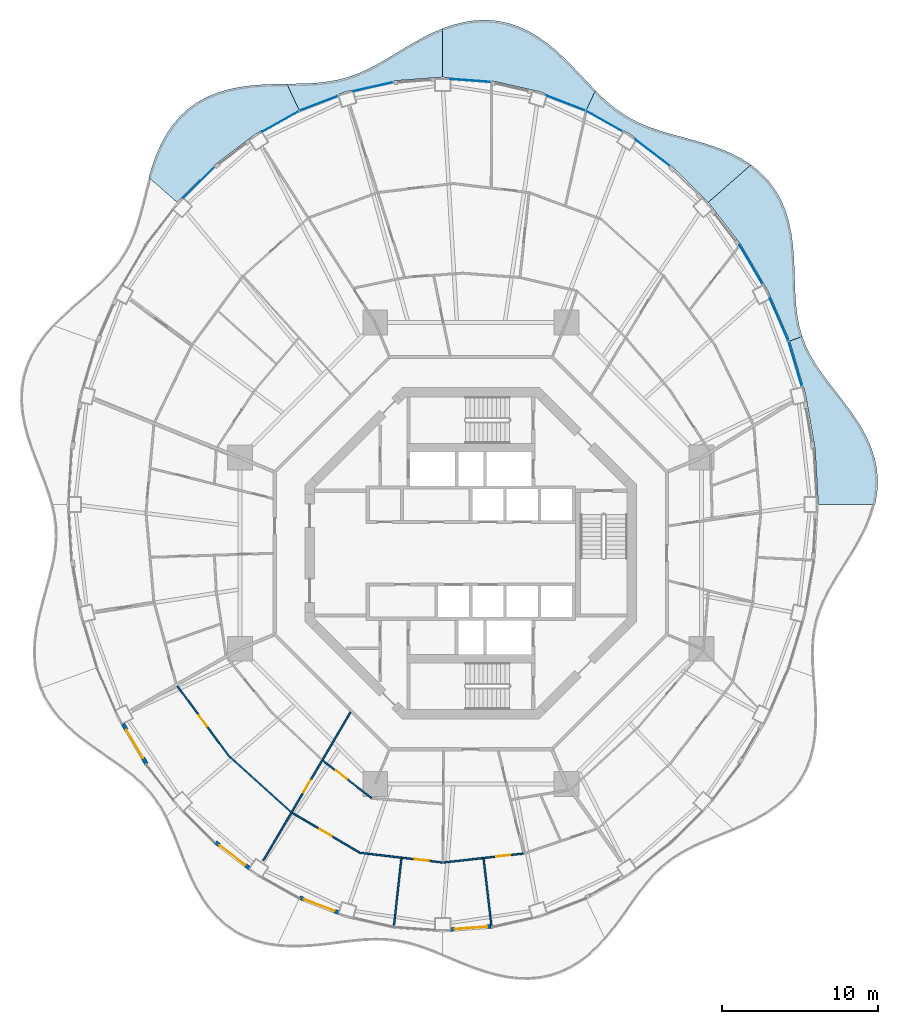
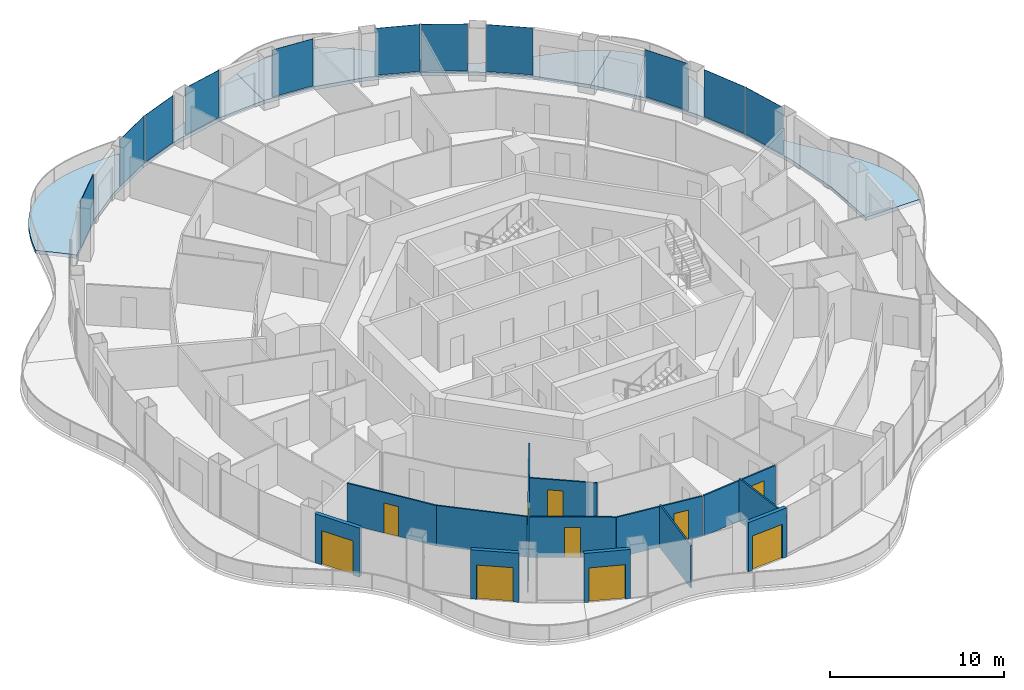
# One storey, part 9 of 18: 13 walls, 11 plates, 10 doors, 6 slabs, 10 openings, 11 elements without a shape of their own.
"""IFC4 building model written with IfcOpenShell, lengths in metres."""

from ifc_helpers import new_model, si_unit, direction, frame, frame_2d, origin, origin_2d, place, context, subcontext, project, spatial, polyline, rectangle, outline, extrude, material, layer, layer_set, type_object, element, fill, aggregate, save


model = new_model("IFC4")

# Units and contexts
model_context = context("Model", 3, precision=1e-05, world=origin(), true_north=direction((0.0, 1.0)))
body_context = subcontext(model_context, "Body", "Model", "MODEL_VIEW")
ifc_project = project(units=[si_unit("LENGTHUNIT", "METRE"), si_unit("AREAUNIT", "SQUARE_METRE"), si_unit("VOLUMEUNIT", "CUBIC_METRE"), si_unit("PLANEANGLEUNIT", "RADIAN"), si_unit("MASSUNIT", "GRAM", prefix="KILO")], contexts=[model_context])

# Site, building, storey
site_placement = place(None, origin())
site = spatial("IfcSite", under=ifc_project, at=site_placement, CompositionType="ELEMENT")
building_placement = place(site_placement, origin())
building = spatial("IfcBuilding", under=site, at=building_placement, Name="Nagisa Residences", CompositionType="ELEMENT")
storey_placement = place(building_placement, frame((0.0, 0.0, 215.89990234375)))
storey = spatial("IfcBuildingStorey", under=building, at=storey_placement, Name="L54", CompositionType="ELEMENT", Elevation=215.89990234375)

# Slabs
ifc_material_1 = material(Name="Concrete C40/50", Category="concrete")
ifc_layer_1 = layer(ifc_material_1, 0.25)
ifc_layer_set_1 = layer_set([ifc_layer_1], Name="BALCONY SLAB 250")
slab_type = type_object("IfcSlabType", Name="BALCONY SLAB 250", PredefinedType="FLOOR", material=ifc_layer_set_1)
slab_1_placement = place(storey_placement, frame((0.0, 0.0, -0.25)))
element("IfcSlab", 1, at=slab_1_placement, inside=storey, type_object=slab_type, Name="slab:L54:bal00", PredefinedType="FLOOR", context=body_context, shape_type="SweptSolid", body=[
    extrude(outline(polyline([(25.90576171875, 3.11767578125), (26.04150390625, 3.8671875), (26.083740234375, 4.619140625), (26.028564453125, 5.367919921875), (25.877197265625, 6.1083984375), (25.63525390625, 6.83544921875), (25.312744140625, 7.545166015625), (24.923095703125, 8.23486328125), (24.482666015625, 8.903564453125), (24.010009765625, 9.552001953125), (23.52392578125, 10.182373046875), (23.04345703125, 10.79931640625), (22.5859375, 11.40771484375), (22.166748046875, 12.01416015625), (21.7978515625, 12.625732421875), (21.487060546875, 13.249267578125), (21.238525390625, 13.890869140625), (20.437744140625, 13.599365234375), (21.449951171875, 10.206787109375), (22.06396484375, 6.69287109375), (22.27001953125, 3.11767578125), (25.90576171875, 3.11767578125)])), origin(), (0.0, 0.0, 1.0), 0.25),
])
slab_2_placement = place(storey_placement, frame((0.0, 0.0, -0.25)))
element("IfcSlab", 2, at=slab_2_placement, inside=storey, type_object=slab_type, Name="slab:L54:bal01", PredefinedType="FLOOR", context=body_context, shape_type="SweptSolid", body=[
    extrude(outline(polyline([(21.238525390625, 13.890869140625), (21.056396484375, 14.53515625), (20.927490234375, 15.20458984375), (20.84375, 15.900634765625), (20.794189453125, 16.623046875), (20.76513671875, 17.369140625), (20.74169921875, 18.1337890625), (20.707275390625, 18.91064453125), (20.646728515625, 19.69091796875), (20.544921875, 20.465087890625), (20.388916015625, 21.222412109375), (20.168212890625, 21.95263671875), (19.875244140625, 22.6455078125), (19.50634765625, 23.291748046875), (19.060791015625, 23.884033203125), (18.54150390625, 24.417236328125), (17.955078125, 24.888916015625), (15.219970703125, 22.4853515625), (17.2958984375, 19.791748046875), (19.045166015625, 16.812744140625), (20.437744140625, 13.599365234375), (21.238525390625, 13.890869140625)])), origin(), (0.0, 0.0, 1.0), 0.25),
])
slab_3_placement = place(storey_placement, frame((0.0, 0.0, -0.25)))
element("IfcSlab", 3, at=slab_3_placement, inside=storey, type_object=slab_type, Name="slab:L54:bal02", PredefinedType="FLOOR", context=body_context, shape_type="SweptSolid", body=[
    extrude(outline(polyline([(17.955078125, 24.888916015625), (17.341796875, 25.28125), (16.685302734375, 25.62060546875), (15.99658203125, 25.912109375), (15.28759765625, 26.1630859375), (14.569580078125, 26.382568359375), (13.85400390625, 26.581787109375), (13.150634765625, 26.771728515625), (12.4677734375, 26.964599609375), (11.811279296875, 27.171875), (11.18505859375, 27.404052734375), (10.590576171875, 27.669921875), (10.02685546875, 27.9765625), (9.49072265625, 28.32763671875), (8.976806640625, 28.72509765625), (8.478515625, 29.16650390625), (7.98828125, 29.647216796875), (7.4111328125, 28.4228515625), (10.235107421875, 26.838134765625), (12.852783203125, 24.84765625), (15.219970703125, 22.4853515625), (17.955078125, 24.888916015625)])), origin(), (0.0, 0.0, 1.0), 0.25),
])
slab_4_placement = place(storey_placement, frame((0.0, 0.0, -0.25)))
element("IfcSlab", 4, at=slab_4_placement, inside=storey, type_object=slab_type, Name="slab:L54:bal03", PredefinedType="FLOOR", context=body_context, shape_type="SweptSolid", body=[
    extrude(outline(polyline([(7.98828125, 29.647216796875), (7.515869140625, 30.140380859375), (7.0361328125, 30.65283203125), (6.542236328125, 31.174072265625), (6.02880859375, 31.690673828125), (5.490966796875, 32.189453125), (4.92578125, 32.656982421875), (4.332275390625, 33.079833984375), (3.710693359375, 33.44580078125), (3.062744140625, 33.74462890625), (2.392333984375, 33.96826171875), (1.7041015625, 34.111083984375), (1.003662109375, 34.170654296875), (0.297119140625, 34.147216796875), (-0.409423828125, 34.044677734375), (-1.110107421875, 33.869384765625), (-1.800048828125, 33.630126953125), (-1.800048828125, 30.5078125), (1.341796875, 30.2734375), (4.4296875, 29.574462890625), (7.4111328125, 28.4228515625), (7.98828125, 29.647216796875)])), origin(), (0.0, 0.0, 1.0), 0.25),
])
slab_5_placement = place(storey_placement, frame((0.0, 0.0, -0.25)))
element("IfcSlab", 5, at=slab_5_placement, inside=storey, type_object=slab_type, Name="slab:L54:bal04", PredefinedType="FLOOR", context=body_context, shape_type="SweptSolid", body=[
    extrude(outline(polyline([(-1.800048828125, 33.630126953125), (-2.474853515625, 33.338623046875), (-3.132080078125, 33.007568359375), (-3.7705078125, 32.650634765625), (-4.390625, 32.281982421875), (-4.994140625, 31.91552734375), (-5.583984375, 31.564208984375), (-6.1650390625, 31.239013671875), (-6.742431640625, 30.94921875), (-7.3212890625, 30.70068359375), (-7.90771484375, 30.49755859375), (-8.50634765625, 30.340576171875), (-9.121826171875, 30.22705078125), (-9.75732421875, 30.15234375), (-10.414306640625, 30.10888671875), (-11.092529296875, 30.087158203125), (-11.79052734375, 30.075927734375), (-11.01123046875, 28.4228515625), (-8.02978515625, 29.574462890625), (-4.941650390625, 30.2734375), (-1.800048828125, 30.5078125), (-1.800048828125, 33.630126953125)])), origin(), (0.0, 0.0, 1.0), 0.25),
])
slab_6_placement = place(storey_placement, frame((0.0, 0.0, -0.25)))
element("IfcSlab", 6, at=slab_6_placement, inside=storey, type_object=slab_type, Name="slab:L54:bal05", PredefinedType="FLOOR", context=body_context, shape_type="SweptSolid", body=[
    extrude(outline(polyline([(-11.79052734375, 30.075927734375), (-12.53125, 30.062744140625), (-13.283203125, 30.0341796875), (-14.03857421875, 29.976806640625), (-14.78857421875, 29.878173828125), (-15.523193359375, 29.7275390625), (-16.23291015625, 29.51611328125), (-16.907958984375, 29.23828125), (-17.53955078125, 28.890625), (-18.12060546875, 28.47265625), (-18.645751953125, 27.987060546875), (-19.112060546875, 27.439453125), (-19.51904296875, 26.8369140625), (-19.869140625, 26.188720703125), (-20.166748046875, 25.505859375), (-20.41943359375, 24.7998046875), (-20.636474609375, 24.08154296875), (-18.820068359375, 22.4853515625), (-16.452880859375, 24.84765625), (-13.8349609375, 26.838134765625), (-11.01123046875, 28.4228515625), (-11.79052734375, 30.075927734375)])), origin(), (0.0, 0.0, 1.0), 0.25),
])

# Curtain wall, plate
ifc_material_2 = material(Name="Concrete-coloured aluminium curtain wall system", Category="concrete")
ifc_layer_2 = layer(ifc_material_2, 0.159912109375)
ifc_layer_set_2 = layer_set([ifc_layer_2], Name="CW1 CURTAIN WALL")
curtain_wall_type = type_object("IfcCurtainWallType", Name="CW1 CURTAIN WALL", PredefinedType="NOTDEFINED", material=ifc_layer_set_2)
curtain_wall_1_placement = place(storey_placement, origin())
curtain_wall_1 = element("IfcCurtainWall", 7, at=curtain_wall_1_placement, inside=storey, type_object=curtain_wall_type, Name="cw:CW1:L54:02", PredefinedType="NOTDEFINED")
ifc_material_3 = material(Name="Clear laminated glass", Category="glass")
ifc_layer_3 = layer(ifc_material_3, 0.028076171875)
ifc_layer_set_3 = layer_set([ifc_layer_3], Name="CW1 GLASS PANEL")
plate_type = type_object("IfcPlateType", Name="CW1 GLASS PANEL", PredefinedType="CURTAIN_PANEL", material=ifc_layer_set_3)
plate_1_placement = place(storey_placement, frame((20.787109375, 12.1484375, 0.150146484375), z_axis=(0.0, 0.0, 1.0), x_axis=(-0.285860274038, 0.958271310082, 0.0)))
plate_1 = element("IfcPlate", 8, at=plate_1_placement, type_object=plate_type, Name="CW1 panel", PredefinedType="CURTAIN_PANEL", context=body_context, shape_type="SweptSolid", body=[
    extrude(rectangle(XDim=2.98046875, YDim=0.028076171875, at=origin_2d()), origin(), (0.0, 0.0, 1.0), 3.2900390625),
])
aggregate(curtain_wall_1, [plate_1])

curtain_wall_2_placement = place(storey_placement, origin())
curtain_wall_2 = element("IfcCurtainWall", 9, at=curtain_wall_2_placement, inside=storey, type_object=curtain_wall_type, Name="cw:CW1:L54:03", PredefinedType="NOTDEFINED")
plate_2_placement = place(storey_placement, frame((19.755615234375, 14.972412109375, 0.150146484375), z_axis=(0.0, 0.0, 1.0), x_axis=(-0.397635934147, 0.917543276295, 0.0)))
plate_2 = element("IfcPlate", 10, at=plate_2_placement, type_object=plate_type, Name="CW1 panel", PredefinedType="CURTAIN_PANEL", context=body_context, shape_type="SweptSolid", body=[
    extrude(rectangle(XDim=2.942138671875, YDim=0.028076171875, at=origin_2d()), origin(), (0.0, 0.0, 1.0), 3.2900390625),
])
aggregate(curtain_wall_2, [plate_2])

curtain_wall_3_placement = place(storey_placement, origin())
curtain_wall_3 = element("IfcCurtainWall", 11, at=curtain_wall_3_placement, inside=storey, type_object=curtain_wall_type, Name="cw:CW1:L54:04", PredefinedType="NOTDEFINED")
plate_3_placement = place(storey_placement, frame((17.9599609375, 18.503173828125, 0.150146484375), z_axis=(0.0, 0.0, 1.0), x_axis=(-0.506348567002, 0.862328898214, 0.0)))
plate_3 = element("IfcPlate", 12, at=plate_3_placement, type_object=plate_type, Name="CW1 panel", PredefinedType="CURTAIN_PANEL", context=body_context, shape_type="SweptSolid", body=[
    extrude(rectangle(XDim=2.89453125, YDim=0.028076171875, at=origin_2d()), origin(), (0.0, 0.0, 1.0), 3.2900390625),
])
aggregate(curtain_wall_3, [plate_3])

curtain_wall_4_placement = place(storey_placement, origin())
curtain_wall_4 = element("IfcCurtainWall", 13, at=curtain_wall_4_placement, inside=storey, type_object=curtain_wall_type, Name="cw:CW1:L54:07", PredefinedType="NOTDEFINED")
plate_4_placement = place(storey_placement, frame((11.670654296875, 25.64599609375, 0.150146484375), z_axis=(0.0, 0.0, 1.0), x_axis=(-0.79603132756, 0.605255421737, 0.0)))
plate_4 = element("IfcPlate", 14, at=plate_4_placement, type_object=plate_type, Name="CW1 panel", PredefinedType="CURTAIN_PANEL", context=body_context, shape_type="SweptSolid", body=[
    extrude(rectangle(XDim=2.728759765625, YDim=0.028076171875, at=origin_2d()), origin(), (0.0, 0.0, 1.0), 3.2900390625),
])
aggregate(curtain_wall_4, [plate_4])

curtain_wall_5_placement = place(storey_placement, origin())
curtain_wall_5 = element("IfcCurtainWall", 15, at=curtain_wall_5_placement, inside=storey, type_object=curtain_wall_type, Name="cw:CW1:L54:08", PredefinedType="NOTDEFINED")
plate_5_placement = place(storey_placement, frame((8.539794921875, 27.69775390625, 0.150146484375), z_axis=(0.0, 0.0, 1.0), x_axis=(-0.872072377523, 0.489376918501, 0.0)))
plate_5 = element("IfcPlate", 16, at=plate_5_placement, type_object=plate_type, Name="CW1 panel", PredefinedType="CURTAIN_PANEL", context=body_context, shape_type="SweptSolid", body=[
    extrude(rectangle(XDim=2.677978515625, YDim=0.028076171875, at=origin_2d()), origin(), (0.0, 0.0, 1.0), 3.2900390625),
])
aggregate(curtain_wall_5, [plate_5])

curtain_wall_6_placement = place(storey_placement, origin())
curtain_wall_6 = element("IfcCurtainWall", 17, at=curtain_wall_6_placement, inside=storey, type_object=curtain_wall_type, Name="cw:CW1:L54:09", PredefinedType="NOTDEFINED")
plate_6_placement = place(storey_placement, frame((6.096923828125, 28.8447265625, 0.150146484375), z_axis=(0.0, 0.0, 1.0), x_axis=(-0.932825759707, 0.360327770268, 0.0)))
plate_6 = element("IfcPlate", 18, at=plate_6_placement, type_object=plate_type, Name="CW1 panel", PredefinedType="CURTAIN_PANEL", context=body_context, shape_type="SweptSolid", body=[
    extrude(rectangle(XDim=2.63623046875, YDim=0.028076171875, at=origin_2d()), origin(), (0.0, 0.0, 1.0), 3.2900390625),
])
aggregate(curtain_wall_6, [plate_6])

curtain_wall_7_placement = place(storey_placement, origin())
curtain_wall_7 = element("IfcCurtainWall", 19, at=curtain_wall_7_placement, inside=storey, type_object=curtain_wall_type, Name="cw:CW1:L54:11", PredefinedType="NOTDEFINED")
plate_7_placement = place(storey_placement, frame((-0.015625, 30.29443359375, 0.150146484375), z_axis=(0.0, 0.0, 1.0), x_axis=(-0.997230168512, 0.074377355493, 0.0)))
plate_7 = element("IfcPlate", 20, at=plate_7_placement, type_object=plate_type, Name="CW1 panel", PredefinedType="CURTAIN_PANEL", context=body_context, shape_type="SweptSolid", body=[
    extrude(rectangle(XDim=2.590576171875, YDim=0.028076171875, at=origin_2d()), origin(), (0.0, 0.0, 1.0), 3.2900390625),
])
aggregate(curtain_wall_7, [plate_7])

curtain_wall_8_placement = place(storey_placement, origin())
curtain_wall_8 = element("IfcCurtainWall", 21, at=curtain_wall_8_placement, inside=storey, type_object=curtain_wall_type, Name="cw:CW1:L54:13", PredefinedType="NOTDEFINED")
plate_8_placement = place(storey_placement, frame((-6.25341796875, 29.89453125, 0.150146484375), z_axis=(0.0, 0.0, 1.0), x_axis=(-0.975327274089, -0.2207639201, 0.0)))
plate_8 = element("IfcPlate", 22, at=plate_8_placement, type_object=plate_type, Name="CW1 panel", PredefinedType="CURTAIN_PANEL", context=body_context, shape_type="SweptSolid", body=[
    extrude(rectangle(XDim=2.606201171875, YDim=0.028076171875, at=origin_2d()), origin(), (0.0, 0.0, 1.0), 3.2900390625),
])
aggregate(curtain_wall_8, [plate_8])

curtain_wall_9_placement = place(storey_placement, origin())
curtain_wall_9 = element("IfcCurtainWall", 23, at=curtain_wall_9_placement, inside=storey, type_object=curtain_wall_type, Name="cw:CW1:L54:14", PredefinedType="NOTDEFINED")
plate_9_placement = place(storey_placement, frame((-9.7529296875, 28.822998046875, 0.150146484375), z_axis=(0.0, 0.0, 1.0), x_axis=(-0.932825759707, -0.360327770268, 0.0)))
plate_9 = element("IfcPlate", 24, at=plate_9_placement, type_object=plate_type, Name="CW1 panel", PredefinedType="CURTAIN_PANEL", context=body_context, shape_type="SweptSolid", body=[
    extrude(rectangle(XDim=2.63623046875, YDim=0.028076171875, at=origin_2d()), origin(), (0.0, 0.0, 1.0), 3.2900390625),
])
aggregate(curtain_wall_9, [plate_9])

curtain_wall_10_placement = place(storey_placement, origin())
curtain_wall_10 = element("IfcCurtainWall", 25, at=curtain_wall_10_placement, inside=storey, type_object=curtain_wall_type, Name="cw:CW1:L54:15", PredefinedType="NOTDEFINED")
plate_10_placement = place(storey_placement, frame((-12.192138671875, 27.66845703125, 0.150146484375), z_axis=(0.0, 0.0, 1.0), x_axis=(-0.872072377523, -0.489376918501, 0.0)))
plate_10 = element("IfcPlate", 26, at=plate_10_placement, type_object=plate_type, Name="CW1 panel", PredefinedType="CURTAIN_PANEL", context=body_context, shape_type="SweptSolid", body=[
    extrude(rectangle(XDim=2.677978515625, YDim=0.028076171875, at=origin_2d()), origin(), (0.0, 0.0, 1.0), 3.2900390625),
])
aggregate(curtain_wall_10, [plate_10])

curtain_wall_11_placement = place(storey_placement, origin())
curtain_wall_11 = element("IfcCurtainWall", 27, at=curtain_wall_11_placement, inside=storey, type_object=curtain_wall_type, Name="cw:CW1:L54:17", PredefinedType="NOTDEFINED")
plate_11_placement = place(storey_placement, frame((-17.42431640625, 23.765380859375, 0.150146484375), z_axis=(0.0, 0.0, 1.0), x_axis=(-0.707835924016, -0.706376885714, 0.0)))
plate_11 = element("IfcPlate", 28, at=plate_11_placement, type_object=plate_type, Name="CW1 panel", PredefinedType="CURTAIN_PANEL", context=body_context, shape_type="SweptSolid", body=[
    extrude(rectangle(XDim=2.7841796875, YDim=0.028076171875, at=origin_2d()), origin(), (0.0, 0.0, 1.0), 3.2900390625),
])
aggregate(curtain_wall_11, [plate_11])

# Wall, opening, door
ifc_material_4 = material(Name="Gypsum board on steel studs", Category="steel")
ifc_layer_4 = layer(ifc_material_4, 0.10009765625)
ifc_layer_set_4 = layer_set([ifc_layer_4], Name="Apartment partition 100")
wall_type_1 = type_object("IfcWallType", Name="Apartment partition 100", PredefinedType="PARTITIONING", material=ifc_layer_set_4)
wall_1_placement = place(storey_placement, frame((-18.804443359375, -8.515625, 0.0), z_axis=(0.0, 0.0, 1.0), x_axis=(0.593249583583, -0.805018590828, 0.0)))
wall_1 = element("IfcWall", 29, at=wall_1_placement, inside=storey, type_object=wall_type_1, Name="wall:L54:u65", PredefinedType="PARTITIONING", context=body_context, shape_type="SweptSolid", body=[
    extrude(rectangle(XDim=5.601806640625, YDim=0.10009765625, at=frame_2d((2.80078125, 0.0))), origin(), (0.0, 0.0, 1.0), 2.837158203125),
])
opening_1_placement = place(wall_1_placement, frame((2.325927734375, 0.0, 0.0)))
opening_1 = element("IfcOpeningElement", 30, at=opening_1_placement, cuts=wall_1, Name="Opening L54-U39", PredefinedType="OPENING", context=body_context, shape_type="SweptSolid", body=[
    extrude(rectangle(XDim=0.89990234375, YDim=2.10009765625, at=frame_2d((0.449951171875, 1.050048828125))), frame((0.0, 0.06005859375, 0.0), z_axis=(0.0, -1.0, 0.0), x_axis=(1.0, 0.0, 0.0)), (0.0, 0.0, 1.0), 0.1201171875),
])
ifc_material_5 = material(Name="Timber door set", Category="wood")
door_type_1 = type_object("IfcDoorType", Name="Apartment door 900x2100", OperationType="NOTDEFINED", PredefinedType="DOOR", material=ifc_material_5)
door_1_placement = place(opening_1_placement, frame((0.89990234375, 0.0, 0.0), x_axis=(-1.0, 0.0, 0.0)))
door_1 = element("IfcDoor", 31, at=door_1_placement, inside=storey, type_object=door_type_1, Name="Door to family room, Apartment 54C", OperationType="SINGLE_SWING_RIGHT", OverallHeight=2.10009765625, OverallWidth=0.89990234375, PredefinedType="DOOR", context=body_context, shape_type="SweptSolid", body=[
    extrude(rectangle(XDim=0.89990234375, YDim=2.10009765625, at=frame_2d((0.449951171875, 1.050048828125))), frame((0.0, 0.02490234375, 0.0), z_axis=(0.0, -1.0, 0.0), x_axis=(1.0, 0.0, 0.0)), (0.0, 0.0, 1.0), 0.050048828125),
])
fill(opening_1, door_1)

# Wall
wall_2_placement = place(storey_placement, frame((-15.4736328125, -13.0185546875, 0.0), z_axis=(0.0, 0.0, 1.0), x_axis=(0.742348572616, -0.670013878017, 0.0)))
element("IfcWall", 32, at=wall_2_placement, inside=storey, type_object=wall_type_1, Name="wall:L54:u67", PredefinedType="PARTITIONING", context=body_context, shape_type="SweptSolid", body=[
    extrude(rectangle(XDim=5.3193359375, YDim=0.10009765625, at=frame_2d((2.65966796875, 0.0))), origin(), (0.0, 0.0, 1.0), 2.837158203125),
])

# Wall, opening, door
wall_3_placement = place(storey_placement, frame((-7.708740234375, -10.197509765625, 0.0), z_axis=(0.0, 0.0, 1.0), x_axis=(-0.507355901053, -0.8617366127, 0.0)))
wall_3 = element("IfcWall", 33, at=wall_3_placement, inside=storey, type_object=wall_type_1, Name="wall:L54:u68", PredefinedType="PARTITIONING", context=body_context, shape_type="SweptSolid", body=[
    extrude(rectangle(XDim=11.02490234375, YDim=0.10009765625, at=frame_2d((5.512451171875, 0.0))), origin(), (0.0, 0.0, 1.0), 2.76220703125),
])
opening_2_placement = place(wall_3_placement, frame((5.05029296875, 0.0, 0.0)))
opening_2 = element("IfcOpeningElement", 34, at=opening_2_placement, cuts=wall_3, Name="Opening L54-U37", PredefinedType="OPENING", context=body_context, shape_type="SweptSolid", body=[
    extrude(rectangle(XDim=0.89990234375, YDim=2.10009765625, at=frame_2d((0.449951171875, 1.050048828125))), frame((0.0, 0.06005859375, 0.0), z_axis=(0.0, -1.0, 0.0), x_axis=(1.0, 0.0, 0.0)), (0.0, 0.0, 1.0), 0.1201171875),
])
door_2_placement = place(opening_2_placement, frame((0.89990234375, 0.0, 0.0), x_axis=(-1.0, 0.0, 0.0)))
door_2 = element("IfcDoor", 35, at=door_2_placement, inside=storey, type_object=door_type_1, Name="Door to kitchen, Apartment 54C", OperationType="SINGLE_SWING_RIGHT", OverallHeight=2.10009765625, OverallWidth=0.89990234375, PredefinedType="DOOR", context=body_context, shape_type="SweptSolid", body=[
    extrude(rectangle(XDim=0.89990234375, YDim=2.10009765625, at=frame_2d((0.449951171875, 1.050048828125))), frame((0.0, 0.02490234375, 0.0), z_axis=(0.0, -1.0, 0.0), x_axis=(1.0, 0.0, 0.0)), (0.0, 0.0, 1.0), 0.050048828125),
])
fill(opening_2, door_2)

wall_4_placement = place(storey_placement, frame((-9.471435546875, -13.289306640625, 0.0), z_axis=(0.0, 0.0, 1.0), x_axis=(0.7922205419, -0.61023488346, 0.0)))
wall_4 = element("IfcWall", 36, at=wall_4_placement, inside=storey, type_object=wall_type_1, Name="wall:L54:u69", PredefinedType="PARTITIONING", context=body_context, shape_type="SweptSolid", body=[
    extrude(rectangle(XDim=3.916015625, YDim=0.10009765625, at=frame_2d((1.9580078125, 0.0))), origin(), (0.0, 0.0, 1.0), 2.837158203125),
])
opening_3_placement = place(wall_4_placement, frame((1.044921875, 0.0, 0.0)))
opening_3 = element("IfcOpeningElement", 37, at=opening_3_placement, cuts=wall_4, Name="Opening L54-U36", PredefinedType="OPENING", context=body_context, shape_type="SweptSolid", body=[
    extrude(rectangle(XDim=0.89990234375, YDim=2.10009765625, at=frame_2d((0.449951171875, 1.050048828125))), frame((0.0, 0.06005859375, 0.0), z_axis=(0.0, -1.0, 0.0), x_axis=(1.0, 0.0, 0.0)), (0.0, 0.0, 1.0), 0.1201171875),
])
door_3_placement = place(opening_3_placement, origin())
door_3 = element("IfcDoor", 38, at=door_3_placement, inside=storey, type_object=door_type_1, Name="Door to laundry, Apartment 54C", OperationType="SINGLE_SWING_RIGHT", OverallHeight=2.10009765625, OverallWidth=0.89990234375, PredefinedType="DOOR", context=body_context, shape_type="SweptSolid", body=[
    extrude(rectangle(XDim=0.89990234375, YDim=2.10009765625, at=frame_2d((0.449951171875, 1.050048828125))), frame((0.0, 0.02490234375, 0.0), z_axis=(0.0, -1.0, 0.0), x_axis=(1.0, 0.0, 0.0)), (0.0, 0.0, 1.0), 0.050048828125),
])
fill(opening_3, door_3)

wall_5_placement = place(storey_placement, frame((-11.444580078125, -16.641357421875, 0.0), z_axis=(0.0, 0.0, 1.0), x_axis=(0.861562560957, -0.507651409489, 0.0)))
wall_5 = element("IfcWall", 39, at=wall_5_placement, inside=storey, type_object=wall_type_1, Name="wall:L54:u70", PredefinedType="PARTITIONING", context=body_context, shape_type="SweptSolid", body=[
    extrude(rectangle(XDim=4.98486328125, YDim=0.10009765625, at=frame_2d((2.492431640625, 0.0))), origin(), (0.0, 0.0, 1.0), 2.837158203125),
])
opening_4_placement = place(wall_5_placement, frame((2.04248046875, 0.0, 0.0)))
opening_4 = element("IfcOpeningElement", 40, at=opening_4_placement, cuts=wall_5, Name="Opening L54-U33", PredefinedType="OPENING", context=body_context, shape_type="SweptSolid", body=[
    extrude(rectangle(XDim=0.89990234375, YDim=2.10009765625, at=frame_2d((0.449951171875, 1.050048828125))), frame((0.0, 0.06005859375, 0.0), z_axis=(0.0, -1.0, 0.0), x_axis=(1.0, 0.0, 0.0)), (0.0, 0.0, 1.0), 0.1201171875),
])
door_4_placement = place(opening_4_placement, frame((0.89990234375, 0.0, 0.0), x_axis=(-1.0, 0.0, 0.0)))
door_4 = element("IfcDoor", 41, at=door_4_placement, inside=storey, type_object=door_type_1, Name="Door to bedroom, Apartment 54C", OperationType="SINGLE_SWING_RIGHT", OverallHeight=2.10009765625, OverallWidth=0.89990234375, PredefinedType="DOOR", context=body_context, shape_type="SweptSolid", body=[
    extrude(rectangle(XDim=0.89990234375, YDim=2.10009765625, at=frame_2d((0.449951171875, 1.050048828125))), frame((0.0, 0.02490234375, 0.0), z_axis=(0.0, -1.0, 0.0), x_axis=(1.0, 0.0, 0.0)), (0.0, 0.0, 1.0), 0.050048828125),
])
fill(opening_4, door_4)

wall_6_placement = place(storey_placement, frame((-7.156494140625, -19.19140625, 0.0), z_axis=(0.0, 0.0, 1.0), x_axis=(0.993172627718, -0.116653896424, 0.0)))
wall_6 = element("IfcWall", 42, at=wall_6_placement, inside=storey, type_object=wall_type_1, Name="wall:L54:u73", PredefinedType="PARTITIONING", context=body_context, shape_type="SweptSolid", body=[
    extrude(rectangle(XDim=5.3681640625, YDim=0.10009765625, at=frame_2d((2.68408203125, 0.0))), origin(), (0.0, 0.0, 1.0), 2.837158203125),
])
opening_5_placement = place(wall_6_placement, frame((3.601318359375, 0.0, 0.0)))
opening_5 = element("IfcOpeningElement", 43, at=opening_5_placement, cuts=wall_6, Name="Opening L54-U34", PredefinedType="OPENING", context=body_context, shape_type="SweptSolid", body=[
    extrude(rectangle(XDim=0.89990234375, YDim=2.10009765625, at=frame_2d((0.449951171875, 1.050048828125))), frame((0.0, 0.06005859375, 0.0), z_axis=(0.0, -1.0, 0.0), x_axis=(1.0, 0.0, 0.0)), (0.0, 0.0, 1.0), 0.1201171875),
])
door_5_placement = place(opening_5_placement, frame((0.89990234375, 0.0, 0.0), x_axis=(-1.0, 0.0, 0.0)))
door_5 = element("IfcDoor", 44, at=door_5_placement, inside=storey, type_object=door_type_1, Name="Door to master bedroom, Apartment 54C", OperationType="SINGLE_SWING_LEFT", OverallHeight=2.10009765625, OverallWidth=0.89990234375, PredefinedType="DOOR", context=body_context, shape_type="SweptSolid", body=[
    extrude(rectangle(XDim=0.89990234375, YDim=2.10009765625, at=frame_2d((0.449951171875, 1.050048828125))), frame((0.0, 0.02490234375, 0.0), z_axis=(0.0, -1.0, 0.0), x_axis=(1.0, 0.0, 0.0)), (0.0, 0.0, 1.0), 0.050048828125),
])
fill(opening_5, door_5)

# Wall
wall_7_placement = place(storey_placement, frame((-4.446533203125, -19.56005859375, 0.0), z_axis=(0.0, 0.0, 1.0), x_axis=(-0.109897425445, -0.993942933915, 0.0)))
element("IfcWall", 45, at=wall_7_placement, inside=storey, type_object=wall_type_1, Name="wall:L54:u74", PredefinedType="PARTITIONING", context=body_context, shape_type="SweptSolid", body=[
    extrude(rectangle(XDim=4.46533203125, YDim=0.10009765625, at=frame_2d((2.232666015625, 0.0))), origin(), (0.0, 0.0, 1.0), 2.983154296875),
])

# Wall, opening, door
wall_8_placement = place(storey_placement, frame((-1.7255859375, -19.81787109375, 0.0), z_axis=(0.0, 0.0, 1.0), x_axis=(0.99381893047, 0.111013212902, 0.0)))
wall_8 = element("IfcWall", 46, at=wall_8_placement, inside=storey, type_object=wall_type_1, Name="wall:L54:u76", PredefinedType="PARTITIONING", context=body_context, shape_type="SweptSolid", body=[
    extrude(rectangle(XDim=5.113037109375, YDim=0.10009765625, at=frame_2d((2.556640625, 0.0))), origin(), (0.0, 0.0, 1.0), 2.837158203125),
])
opening_6_placement = place(wall_8_placement, frame((3.385009765625, 0.0, 0.0)))
opening_6 = element("IfcOpeningElement", 47, at=opening_6_placement, cuts=wall_8, Name="Opening L54-U35", PredefinedType="OPENING", context=body_context, shape_type="SweptSolid", body=[
    extrude(rectangle(XDim=0.89990234375, YDim=2.10009765625, at=frame_2d((0.449951171875, 1.050048828125))), frame((0.0, 0.06005859375, 0.0), z_axis=(0.0, -1.0, 0.0), x_axis=(1.0, 0.0, 0.0)), (0.0, 0.0, 1.0), 0.1201171875),
])
door_6_placement = place(opening_6_placement, frame((0.89990234375, 0.0, 0.0), x_axis=(-1.0, 0.0, 0.0)))
door_6 = element("IfcDoor", 48, at=door_6_placement, inside=storey, type_object=door_type_1, Name="Door to bedroom, Apartment 54C", OperationType="SINGLE_SWING_RIGHT", OverallHeight=2.10009765625, OverallWidth=0.89990234375, PredefinedType="DOOR", context=body_context, shape_type="SweptSolid", body=[
    extrude(rectangle(XDim=0.89990234375, YDim=2.10009765625, at=frame_2d((0.449951171875, 1.050048828125))), frame((0.0, 0.02490234375, 0.0), z_axis=(0.0, -1.0, 0.0), x_axis=(1.0, 0.0, 0.0)), (0.0, 0.0, 1.0), 0.050048828125),
])
fill(opening_6, door_6)

# Wall
wall_9_placement = place(storey_placement, frame((0.821044921875, -19.583740234375, 0.0), z_axis=(0.0, 0.0, 1.0), x_axis=(0.116120946841, -0.993235080786, 0.0)))
element("IfcWall", 49, at=wall_9_placement, inside=storey, type_object=wall_type_1, Name="wall:L54:u77", PredefinedType="PARTITIONING", context=body_context, shape_type="SweptSolid", body=[
    extrude(rectangle(XDim=4.444580078125, YDim=0.10009765625, at=frame_2d((2.22216796875, 0.0))), origin(), (0.0, 0.0, 1.0), 2.983154296875),
])

# Wall, opening, door
ifc_material_6 = material(Name="Precast concrete C40/50", Category="concrete")
ifc_layer_5 = layer(ifc_material_6, 0.25)
ifc_layer_set_5 = layer_set([ifc_layer_5], Name="BALCONY DOOR WALL 250")
wall_type_2 = type_object("IfcWallType", Name="BALCONY DOOR WALL 250", PredefinedType="SOLIDWALL", material=ifc_layer_set_5)
wall_10_placement = place(storey_placement, frame((-20.788330078125, -13.492919921875, 0.0), z_axis=(0.0, 0.0, 1.0), x_axis=(-0.506294090973, 0.862360883532, 0.0)))
wall_10 = element("IfcWall", 50, at=wall_10_placement, inside=storey, type_object=wall_type_2, Name="wall:L54:bay28", PredefinedType="SOLIDWALL", context=body_context, shape_type="SweptSolid", body=[
    extrude(rectangle(XDim=2.95458984375, YDim=0.25, at=frame_2d((1.477294921875, 0.0))), origin(), (0.0, 0.0, 1.0), 3.440185546875),
])
opening_7_placement = place(wall_10_placement, frame((0.42724609375, 0.0, 0.0)))
opening_7 = element("IfcOpeningElement", 51, at=opening_7_placement, cuts=wall_10, Name="Opening BD-L54-10", PredefinedType="OPENING", context=body_context, shape_type="SweptSolid", body=[
    extrude(rectangle(XDim=2.10009765625, YDim=2.39990234375, at=frame_2d((1.050048828125, 1.199951171875))), frame((0.0, 0.135009765625, 0.0), z_axis=(0.0, -1.0, 0.0), x_axis=(1.0, 0.0, 0.0)), (0.0, 0.0, 1.0), 0.27001953125),
])
ifc_material_7 = material(Name="Aluminium and clear glass", Category="aluminium")
door_type_2 = type_object("IfcDoorType", Name="BALCONY SLIDING DOOR 2100x2400", OperationType="SLIDING_TO_LEFT", PredefinedType="DOOR", material=ifc_material_7)
door_7_placement = place(opening_7_placement, origin())
door_7 = element("IfcDoor", 52, at=door_7_placement, inside=storey, type_object=door_type_2, Name="door:L54:bay28", OperationType="SLIDING_TO_LEFT", OverallHeight=2.39990234375, OverallWidth=2.10009765625, PredefinedType="DOOR", context=body_context, shape_type="SweptSolid", body=[
    extrude(rectangle(XDim=2.10009765625, YDim=2.39990234375, at=frame_2d((1.050048828125, 1.199951171875))), frame((0.0, 0.02490234375, 0.0), z_axis=(0.0, -1.0, 0.0), x_axis=(1.0, 0.0, 0.0)), (0.0, 0.0, 1.0), 0.050048828125),
])
fill(opening_7, door_7)

wall_11_placement = place(storey_placement, frame((-14.157470703125, -20.20068359375, 0.0), z_axis=(0.0, 0.0, 1.0), x_axis=(-0.795990084031, 0.60530966135, 0.0)))
wall_11 = element("IfcWall", 53, at=wall_11_placement, inside=storey, type_object=wall_type_2, Name="wall:L54:bay31", PredefinedType="SOLIDWALL", context=body_context, shape_type="SweptSolid", body=[
    extrude(rectangle(XDim=2.78857421875, YDim=0.25, at=frame_2d((1.394287109375, 0.0))), origin(), (0.0, 0.0, 1.0), 3.440185546875),
])
opening_8_placement = place(wall_11_placement, frame((0.34423828125, 0.0, 0.0)))
opening_8 = element("IfcOpeningElement", 54, at=opening_8_placement, cuts=wall_11, Name="Opening BD-L54-11", PredefinedType="OPENING", context=body_context, shape_type="SweptSolid", body=[
    extrude(rectangle(XDim=2.10009765625, YDim=2.39990234375, at=frame_2d((1.050048828125, 1.199951171875))), frame((0.0, 0.135009765625, 0.0), z_axis=(0.0, -1.0, 0.0), x_axis=(1.0, 0.0, 0.0)), (0.0, 0.0, 1.0), 0.27001953125),
])
door_8_placement = place(opening_8_placement, origin())
door_8 = element("IfcDoor", 55, at=door_8_placement, inside=storey, type_object=door_type_2, Name="door:L54:bay31", OperationType="SLIDING_TO_LEFT", OverallHeight=2.39990234375, OverallWidth=2.10009765625, PredefinedType="DOOR", context=body_context, shape_type="SweptSolid", body=[
    extrude(rectangle(XDim=2.10009765625, YDim=2.39990234375, at=frame_2d((1.050048828125, 1.199951171875))), frame((0.0, 0.02490234375, 0.0), z_axis=(0.0, -1.0, 0.0), x_axis=(1.0, 0.0, 0.0)), (0.0, 0.0, 1.0), 0.050048828125),
])
fill(opening_8, door_8)

wall_12_placement = place(storey_placement, frame((-8.451171875, -23.042236328125, 0.0), z_axis=(0.0, 0.0, 1.0), x_axis=(-0.932826499224, 0.360325855782, 0.0)))
wall_12 = element("IfcWall", 56, at=wall_12_placement, inside=storey, type_object=wall_type_2, Name="wall:L54:bay33", PredefinedType="SOLIDWALL", context=body_context, shape_type="SweptSolid", body=[
    extrude(rectangle(XDim=2.696044921875, YDim=0.25, at=frame_2d((1.34814453125, 0.0))), origin(), (0.0, 0.0, 1.0), 3.440185546875),
])
opening_9_placement = place(wall_12_placement, frame((0.298095703125, 0.0, 0.0)))
opening_9 = element("IfcOpeningElement", 57, at=opening_9_placement, cuts=wall_12, Name="Opening BD-L54-12", PredefinedType="OPENING", context=body_context, shape_type="SweptSolid", body=[
    extrude(rectangle(XDim=2.10009765625, YDim=2.39990234375, at=frame_2d((1.050048828125, 1.199951171875))), frame((0.0, 0.135009765625, 0.0), z_axis=(0.0, -1.0, 0.0), x_axis=(1.0, 0.0, 0.0)), (0.0, 0.0, 1.0), 0.27001953125),
])
door_9_placement = place(opening_9_placement, origin())
door_9 = element("IfcDoor", 58, at=door_9_placement, inside=storey, type_object=door_type_2, Name="door:L54:bay33", OperationType="SLIDING_TO_LEFT", OverallHeight=2.39990234375, OverallWidth=2.10009765625, PredefinedType="DOOR", context=body_context, shape_type="SweptSolid", body=[
    extrude(rectangle(XDim=2.10009765625, YDim=2.39990234375, at=frame_2d((1.050048828125, 1.199951171875))), frame((0.0, 0.02490234375, 0.0), z_axis=(0.0, -1.0, 0.0), x_axis=(1.0, 0.0, 0.0)), (0.0, 0.0, 1.0), 0.050048828125),
])
fill(opening_9, door_9)

wall_13_placement = place(storey_placement, frame((1.33251953125, -23.913330078125, 0.0), z_axis=(0.0, 0.0, 1.0), x_axis=(-0.997233722033, -0.074329695546, 0.0)))
wall_13 = element("IfcWall", 59, at=wall_13_placement, inside=storey, type_object=wall_type_2, Name="wall:L54:bay36", PredefinedType="SOLIDWALL", context=body_context, shape_type="SweptSolid", body=[
    extrude(rectangle(XDim=2.650634765625, YDim=0.25, at=frame_2d((1.3251953125, 0.0))), origin(), (0.0, 0.0, 1.0), 3.440185546875),
])
opening_10_placement = place(wall_13_placement, frame((0.275146484375, 0.0, 0.0)))
opening_10 = element("IfcOpeningElement", 60, at=opening_10_placement, cuts=wall_13, Name="Opening BD-L54-13", PredefinedType="OPENING", context=body_context, shape_type="SweptSolid", body=[
    extrude(rectangle(XDim=2.10009765625, YDim=2.39990234375, at=frame_2d((1.050048828125, 1.199951171875))), frame((0.0, 0.135009765625, 0.0), z_axis=(0.0, -1.0, 0.0), x_axis=(1.0, 0.0, 0.0)), (0.0, 0.0, 1.0), 0.27001953125),
])
door_10_placement = place(opening_10_placement, origin())
door_10 = element("IfcDoor", 61, at=door_10_placement, inside=storey, type_object=door_type_2, Name="door:L54:bay36", OperationType="SLIDING_TO_LEFT", OverallHeight=2.39990234375, OverallWidth=2.10009765625, PredefinedType="DOOR", context=body_context, shape_type="SweptSolid", body=[
    extrude(rectangle(XDim=2.10009765625, YDim=2.39990234375, at=frame_2d((1.050048828125, 1.199951171875))), frame((0.0, 0.02490234375, 0.0), z_axis=(0.0, -1.0, 0.0), x_axis=(1.0, 0.0, 0.0)), (0.0, 0.0, 1.0), 0.050048828125),
])
fill(opening_10, door_10)

save(model, "model.ifc")
